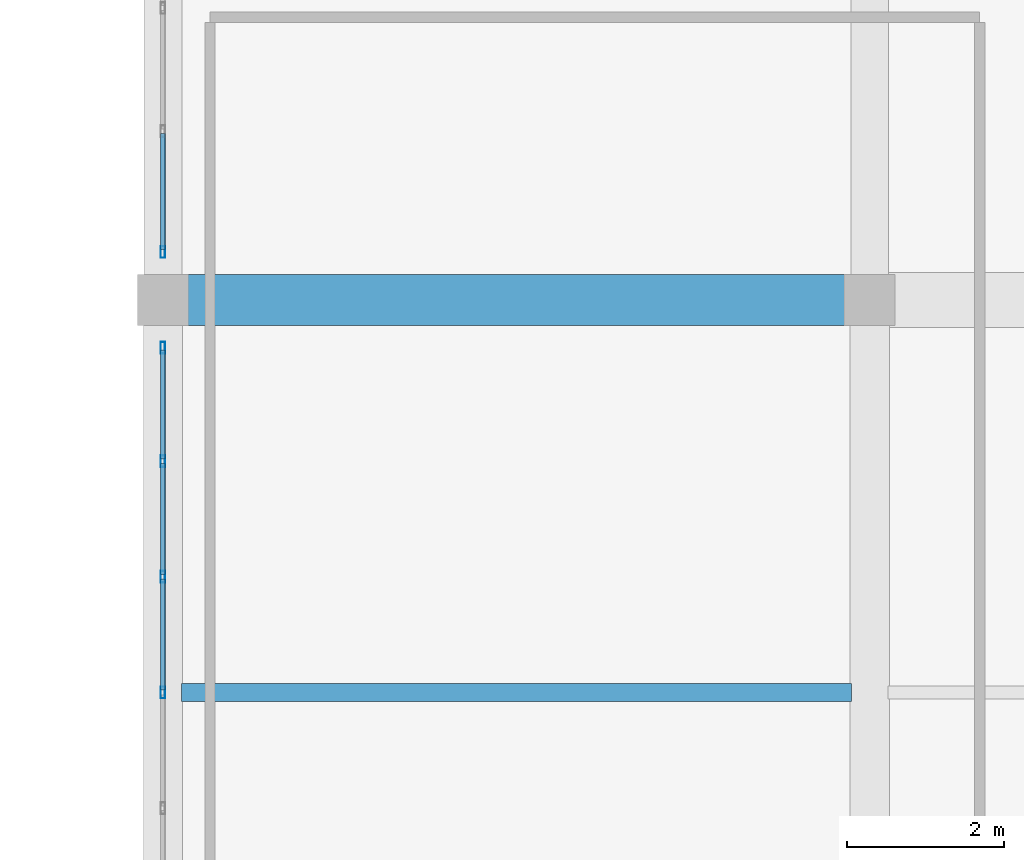
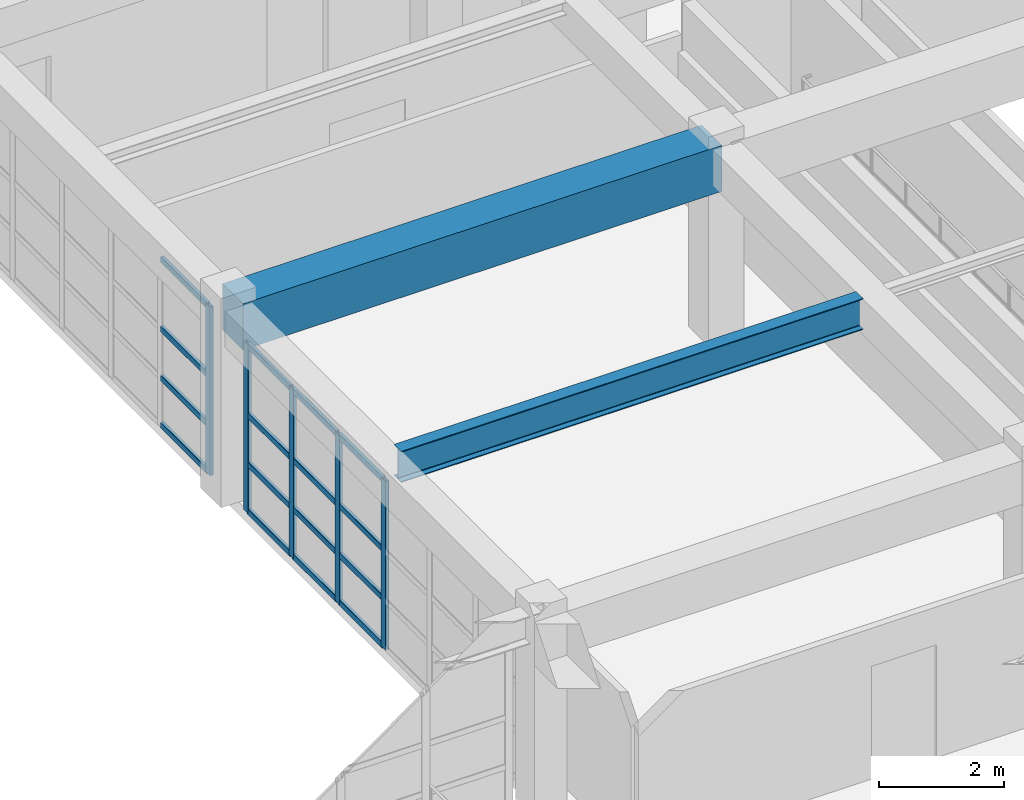
# One storey, part 59 of 110: 21 members, 2 beams, 2 elements without a shape of their own.
"""IFC4 building model written with IfcOpenShell, lengths in metres."""

from ifc_helpers import new_model, si_unit, direction, frame, origin, origin_2d, place, context, subcontext, project, spatial, rectangle, hollow_rectangle, i_section, extrude, material, material_profile, profile_set, type_object, element, aggregate, save


model = new_model("IFC4")

# Units and contexts
model_context = context("Model", 3, precision=1e-05, world=origin(), true_north=direction((0.0, 1.0)))
body_context = subcontext(model_context, "Body", "Model", "MODEL_VIEW")
ifc_project = project(units=[si_unit("LENGTHUNIT", "METRE"), si_unit("AREAUNIT", "SQUARE_METRE"), si_unit("VOLUMEUNIT", "CUBIC_METRE"), si_unit("PLANEANGLEUNIT", "RADIAN"), si_unit("MASSUNIT", "GRAM", prefix="KILO")], contexts=[model_context])

# Site, building, storey
site_placement = place(None, origin())
site = spatial("IfcSite", under=ifc_project, at=site_placement, CompositionType="ELEMENT")
building_placement = place(site_placement, origin())
building = spatial("IfcBuilding", under=site, at=building_placement, Name="Miravela Opera House", CompositionType="ELEMENT")
storey_placement = place(building_placement, frame((0.0, 0.0, 13.60009765625)))
storey = spatial("IfcBuildingStorey", under=building, at=storey_placement, Name="L03", CompositionType="ELEMENT", Elevation=13.60009765625)

# Curtain wall, members
ifc_material_1 = material(Name="Anodised architectural bronze aluminium 6063-T6", Category="aluminium")
curtain_wall_type = type_object("IfcCurtainWallType", Name="ARC-CW-05", PredefinedType="NOTDEFINED", material=ifc_material_1)
curtain_wall_1_placement = place(storey_placement, origin())
curtain_wall_1 = element("IfcCurtainWall", 1, at=curtain_wall_1_placement, inside=storey, type_object=curtain_wall_type, Name="Courtyard Arcade Curtain Wall CW-L03-111", PredefinedType="NOTDEFINED")
ifc_material_profile_1 = material_profile(ifc_material_1, hollow_rectangle(XDim=0.06005859375, YDim=0.14990234375, WallThickness=0.00390625, InnerFilletRadius=0.001953125, OuterFilletRadius=0.00390625, at=origin_2d()), Name="CWM-60X150")
ifc_profile_set_1 = profile_set([ifc_material_profile_1])
member_type_1 = type_object("IfcMemberType", Name="ARC-CWM-150", PredefinedType="MULLION", material=ifc_profile_set_1)
member_1_placement = place(storey_placement, frame((63.0, 89.0, 0.0), z_axis=(0.0, 0.0, 1.0), x_axis=(-1.0, 0.0, 0.0)))
member_1 = element("IfcMember", 2, at=member_1_placement, type_object=member_type_1, Name="CW-05 mullion 4", PredefinedType="MULLION", context=body_context, shape_type="SweptSolid", body=[
    extrude(hollow_rectangle(XDim=0.06005859375, YDim=0.14990234375, WallThickness=0.00390625, InnerFilletRadius=0.001953125, OuterFilletRadius=0.00390625, at=origin_2d()), origin(), (0.0, 0.0, 1.0), 3.289794921875),
])
member_2_placement = place(storey_placement, frame((63.0, 90.473388671875, 0.0), z_axis=(0.0, 0.0, 1.0), x_axis=(-1.0, 0.0, 0.0)))
member_2 = element("IfcMember", 3, at=member_2_placement, type_object=member_type_1, Name="CW-05 mullion 5", PredefinedType="MULLION", context=body_context, shape_type="SweptSolid", body=[
    extrude(hollow_rectangle(XDim=0.06005859375, YDim=0.14990234375, WallThickness=0.00390625, InnerFilletRadius=0.001953125, OuterFilletRadius=0.00390625, at=origin_2d()), origin(), (0.0, 0.0, 1.0), 3.289794921875),
])
member_3_placement = place(storey_placement, frame((63.0, 91.94677734375, 0.0), z_axis=(0.0, 0.0, 1.0), x_axis=(-1.0, 0.0, 0.0)))
member_3 = element("IfcMember", 4, at=member_3_placement, type_object=member_type_1, Name="CW-05 mullion 6", PredefinedType="MULLION", context=body_context, shape_type="SweptSolid", body=[
    extrude(hollow_rectangle(XDim=0.06005859375, YDim=0.14990234375, WallThickness=0.00390625, InnerFilletRadius=0.001953125, OuterFilletRadius=0.00390625, at=origin_2d()), origin(), (0.0, 0.0, 1.0), 3.289794921875),
])
member_4_placement = place(storey_placement, frame((63.0, 93.389892578125, 0.0), z_axis=(0.0, 0.0, 1.0), x_axis=(-1.0, 0.0, 0.0)))
member_4 = element("IfcMember", 5, at=member_4_placement, type_object=member_type_1, Name="CW-05 mullion 7", PredefinedType="MULLION", context=body_context, shape_type="SweptSolid", body=[
    extrude(hollow_rectangle(XDim=0.06005859375, YDim=0.14990234375, WallThickness=0.00390625, InnerFilletRadius=0.001953125, OuterFilletRadius=0.00390625, at=origin_2d()), origin(), (0.0, 0.0, 1.0), 3.289794921875),
])

# Curtain wall, member
curtain_wall_2_placement = place(storey_placement, origin())
curtain_wall_2 = element("IfcCurtainWall", 6, at=curtain_wall_2_placement, inside=storey, type_object=curtain_wall_type, Name="Courtyard Arcade Curtain Wall CW-L03-112", PredefinedType="NOTDEFINED")
member_5_placement = place(storey_placement, frame((63.0, 94.610107421875, 0.0), z_axis=(0.0, 0.0, 1.0), x_axis=(-1.0, 0.0, 0.0)))
member_5 = element("IfcMember", 7, at=member_5_placement, type_object=member_type_1, Name="CW-05 mullion 1", PredefinedType="MULLION", context=body_context, shape_type="SweptSolid", body=[
    extrude(hollow_rectangle(XDim=0.06005859375, YDim=0.14990234375, WallThickness=0.00390625, InnerFilletRadius=0.001953125, OuterFilletRadius=0.00390625, at=origin_2d()), origin(), (0.0, 0.0, 1.0), 3.289794921875),
])

# Member
ifc_material_profile_2 = material_profile(ifc_material_1, hollow_rectangle(XDim=0.06005859375, YDim=0.114990234375, WallThickness=0.00390625, InnerFilletRadius=0.001953125, OuterFilletRadius=0.00390625, at=origin_2d()), Name="CWT-60X115")
ifc_profile_set_2 = profile_set([ifc_material_profile_2])
member_type_2 = type_object("IfcMemberType", Name="ARC-CWT-115", PredefinedType="USERDEFINED", material=ifc_profile_set_2)
member_6_placement = place(storey_placement, frame((63.0, 89.030029296875, 0.02978515625), z_axis=(0.0, 1.0, 0.0), x_axis=(-1.0, 0.0, 0.0)))
member_6 = element("IfcMember", 8, at=member_6_placement, type_object=member_type_2, Name="CW-05 transom 4.1", ObjectType="TRANSOM", PredefinedType="USERDEFINED", context=body_context, shape_type="SweptSolid", body=[
    extrude(hollow_rectangle(XDim=0.06005859375, YDim=0.114990234375, WallThickness=0.00390625, InnerFilletRadius=0.001953125, OuterFilletRadius=0.00390625, at=origin_2d()), origin(), (0.0, 0.0, 1.0), 1.413330078125),
])

member_7_placement = place(storey_placement, frame((63.0, 89.030029296875, 0.949951171875), z_axis=(0.0, 1.0, 0.0), x_axis=(-1.0, 0.0, 0.0)))
member_7 = element("IfcMember", 9, at=member_7_placement, type_object=member_type_2, Name="CW-05 transom 4.2", ObjectType="TRANSOM", PredefinedType="USERDEFINED", context=body_context, shape_type="SweptSolid", body=[
    extrude(hollow_rectangle(XDim=0.06005859375, YDim=0.114990234375, WallThickness=0.00390625, InnerFilletRadius=0.001953125, OuterFilletRadius=0.00390625, at=origin_2d()), origin(), (0.0, 0.0, 1.0), 1.413330078125),
])

member_8_placement = place(storey_placement, frame((63.0, 89.030029296875, 1.908203125), z_axis=(0.0, 1.0, 0.0), x_axis=(-1.0, 0.0, 0.0)))
member_8 = element("IfcMember", 10, at=member_8_placement, type_object=member_type_2, Name="CW-05 transom 4.3", ObjectType="TRANSOM", PredefinedType="USERDEFINED", context=body_context, shape_type="SweptSolid", body=[
    extrude(hollow_rectangle(XDim=0.06005859375, YDim=0.114990234375, WallThickness=0.00390625, InnerFilletRadius=0.001953125, OuterFilletRadius=0.00390625, at=origin_2d()), origin(), (0.0, 0.0, 1.0), 1.413330078125),
])

member_9_placement = place(storey_placement, frame((63.0, 89.030029296875, 3.260009765625), z_axis=(0.0, 1.0, 0.0), x_axis=(-1.0, 0.0, 0.0)))
member_9 = element("IfcMember", 11, at=member_9_placement, type_object=member_type_2, Name="CW-05 transom 4.4", ObjectType="TRANSOM", PredefinedType="USERDEFINED", context=body_context, shape_type="SweptSolid", body=[
    extrude(hollow_rectangle(XDim=0.06005859375, YDim=0.114990234375, WallThickness=0.00390625, InnerFilletRadius=0.001953125, OuterFilletRadius=0.00390625, at=origin_2d()), origin(), (0.0, 0.0, 1.0), 1.413330078125),
])

member_10_placement = place(storey_placement, frame((63.0, 90.50341796875, 0.02978515625), z_axis=(0.0, 1.0, 0.0), x_axis=(-1.0, 0.0, 0.0)))
member_10 = element("IfcMember", 12, at=member_10_placement, type_object=member_type_2, Name="CW-05 transom 5.1", ObjectType="TRANSOM", PredefinedType="USERDEFINED", context=body_context, shape_type="SweptSolid", body=[
    extrude(hollow_rectangle(XDim=0.06005859375, YDim=0.114990234375, WallThickness=0.00390625, InnerFilletRadius=0.001953125, OuterFilletRadius=0.00390625, at=origin_2d()), origin(), (0.0, 0.0, 1.0), 1.413330078125),
])

member_11_placement = place(storey_placement, frame((63.0, 90.50341796875, 0.949951171875), z_axis=(0.0, 1.0, 0.0), x_axis=(-1.0, 0.0, 0.0)))
member_11 = element("IfcMember", 13, at=member_11_placement, type_object=member_type_2, Name="CW-05 transom 5.2", ObjectType="TRANSOM", PredefinedType="USERDEFINED", context=body_context, shape_type="SweptSolid", body=[
    extrude(hollow_rectangle(XDim=0.06005859375, YDim=0.114990234375, WallThickness=0.00390625, InnerFilletRadius=0.001953125, OuterFilletRadius=0.00390625, at=origin_2d()), origin(), (0.0, 0.0, 1.0), 1.413330078125),
])

member_12_placement = place(storey_placement, frame((63.0, 90.50341796875, 1.908203125), z_axis=(0.0, 1.0, 0.0), x_axis=(-1.0, 0.0, 0.0)))
member_12 = element("IfcMember", 14, at=member_12_placement, type_object=member_type_2, Name="CW-05 transom 5.3", ObjectType="TRANSOM", PredefinedType="USERDEFINED", context=body_context, shape_type="SweptSolid", body=[
    extrude(hollow_rectangle(XDim=0.06005859375, YDim=0.114990234375, WallThickness=0.00390625, InnerFilletRadius=0.001953125, OuterFilletRadius=0.00390625, at=origin_2d()), origin(), (0.0, 0.0, 1.0), 1.413330078125),
])

member_13_placement = place(storey_placement, frame((63.0, 90.50341796875, 3.260009765625), z_axis=(0.0, 1.0, 0.0), x_axis=(-1.0, 0.0, 0.0)))
member_13 = element("IfcMember", 15, at=member_13_placement, type_object=member_type_2, Name="CW-05 transom 5.4", ObjectType="TRANSOM", PredefinedType="USERDEFINED", context=body_context, shape_type="SweptSolid", body=[
    extrude(hollow_rectangle(XDim=0.06005859375, YDim=0.114990234375, WallThickness=0.00390625, InnerFilletRadius=0.001953125, OuterFilletRadius=0.00390625, at=origin_2d()), origin(), (0.0, 0.0, 1.0), 1.413330078125),
])

member_14_placement = place(storey_placement, frame((63.0, 91.9765625, 0.02978515625), z_axis=(0.0, 1.0, 0.0), x_axis=(-1.0, 0.0, 0.0)))
member_14 = element("IfcMember", 16, at=member_14_placement, type_object=member_type_2, Name="CW-05 transom 6.1", ObjectType="TRANSOM", PredefinedType="USERDEFINED", context=body_context, shape_type="SweptSolid", body=[
    extrude(hollow_rectangle(XDim=0.06005859375, YDim=0.114990234375, WallThickness=0.00390625, InnerFilletRadius=0.001953125, OuterFilletRadius=0.00390625, at=origin_2d()), origin(), (0.0, 0.0, 1.0), 1.383544921875),
])

member_15_placement = place(storey_placement, frame((63.0, 91.9765625, 0.949951171875), z_axis=(0.0, 1.0, 0.0), x_axis=(-1.0, 0.0, 0.0)))
member_15 = element("IfcMember", 17, at=member_15_placement, type_object=member_type_2, Name="CW-05 transom 6.2", ObjectType="TRANSOM", PredefinedType="USERDEFINED", context=body_context, shape_type="SweptSolid", body=[
    extrude(hollow_rectangle(XDim=0.06005859375, YDim=0.114990234375, WallThickness=0.00390625, InnerFilletRadius=0.001953125, OuterFilletRadius=0.00390625, at=origin_2d()), origin(), (0.0, 0.0, 1.0), 1.383544921875),
])

member_16_placement = place(storey_placement, frame((63.0, 91.9765625, 1.908203125), z_axis=(0.0, 1.0, 0.0), x_axis=(-1.0, 0.0, 0.0)))
member_16 = element("IfcMember", 18, at=member_16_placement, type_object=member_type_2, Name="CW-05 transom 6.3", ObjectType="TRANSOM", PredefinedType="USERDEFINED", context=body_context, shape_type="SweptSolid", body=[
    extrude(hollow_rectangle(XDim=0.06005859375, YDim=0.114990234375, WallThickness=0.00390625, InnerFilletRadius=0.001953125, OuterFilletRadius=0.00390625, at=origin_2d()), origin(), (0.0, 0.0, 1.0), 1.383544921875),
])

member_17_placement = place(storey_placement, frame((63.0, 91.9765625, 3.260009765625), z_axis=(0.0, 1.0, 0.0), x_axis=(-1.0, 0.0, 0.0)))
member_17 = element("IfcMember", 19, at=member_17_placement, type_object=member_type_2, Name="CW-05 transom 6.4", ObjectType="TRANSOM", PredefinedType="USERDEFINED", context=body_context, shape_type="SweptSolid", body=[
    extrude(hollow_rectangle(XDim=0.06005859375, YDim=0.114990234375, WallThickness=0.00390625, InnerFilletRadius=0.001953125, OuterFilletRadius=0.00390625, at=origin_2d()), origin(), (0.0, 0.0, 1.0), 1.383544921875),
])

aggregate(curtain_wall_1, [member_1, member_2, member_3, member_4, member_6, member_7, member_8, member_9, member_10, member_11, member_12, member_13, member_14, member_15, member_16, member_17])

member_18_placement = place(storey_placement, frame((63.0, 94.639892578125, 0.02978515625), z_axis=(0.0, 1.0, 0.0), x_axis=(-1.0, 0.0, 0.0)))
member_18 = element("IfcMember", 20, at=member_18_placement, type_object=member_type_2, Name="CW-05 transom 1.1", ObjectType="TRANSOM", PredefinedType="USERDEFINED", context=body_context, shape_type="SweptSolid", body=[
    extrude(hollow_rectangle(XDim=0.06005859375, YDim=0.114990234375, WallThickness=0.00390625, InnerFilletRadius=0.001953125, OuterFilletRadius=0.00390625, at=origin_2d()), origin(), (0.0, 0.0, 1.0), 1.47802734375),
])

member_19_placement = place(storey_placement, frame((63.0, 94.639892578125, 0.949951171875), z_axis=(0.0, 1.0, 0.0), x_axis=(-1.0, 0.0, 0.0)))
member_19 = element("IfcMember", 21, at=member_19_placement, type_object=member_type_2, Name="CW-05 transom 1.2", ObjectType="TRANSOM", PredefinedType="USERDEFINED", context=body_context, shape_type="SweptSolid", body=[
    extrude(hollow_rectangle(XDim=0.06005859375, YDim=0.114990234375, WallThickness=0.00390625, InnerFilletRadius=0.001953125, OuterFilletRadius=0.00390625, at=origin_2d()), origin(), (0.0, 0.0, 1.0), 1.47802734375),
])

member_20_placement = place(storey_placement, frame((63.0, 94.639892578125, 1.908203125), z_axis=(0.0, 1.0, 0.0), x_axis=(-1.0, 0.0, 0.0)))
member_20 = element("IfcMember", 22, at=member_20_placement, type_object=member_type_2, Name="CW-05 transom 1.3", ObjectType="TRANSOM", PredefinedType="USERDEFINED", context=body_context, shape_type="SweptSolid", body=[
    extrude(hollow_rectangle(XDim=0.06005859375, YDim=0.114990234375, WallThickness=0.00390625, InnerFilletRadius=0.001953125, OuterFilletRadius=0.00390625, at=origin_2d()), origin(), (0.0, 0.0, 1.0), 1.47802734375),
])

member_21_placement = place(storey_placement, frame((63.0, 94.639892578125, 3.260009765625), z_axis=(0.0, 1.0, 0.0), x_axis=(-1.0, 0.0, 0.0)))
member_21 = element("IfcMember", 23, at=member_21_placement, type_object=member_type_2, Name="CW-05 transom 1.4", ObjectType="TRANSOM", PredefinedType="USERDEFINED", context=body_context, shape_type="SweptSolid", body=[
    extrude(hollow_rectangle(XDim=0.06005859375, YDim=0.114990234375, WallThickness=0.00390625, InnerFilletRadius=0.001953125, OuterFilletRadius=0.00390625, at=origin_2d()), origin(), (0.0, 0.0, 1.0), 1.47802734375),
])

aggregate(curtain_wall_2, [member_5, member_18, member_19, member_20, member_21])

# Beams
ifc_material_2 = material(Name="Concrete C40/50", Category="concrete")
ifc_material_profile_3 = material_profile(ifc_material_2, rectangle(XDim=0.64990234375, YDim=0.89990234375, at=origin_2d()), Name="RC-BM-650X900")
ifc_profile_set_3 = profile_set([ifc_material_profile_3])
beam_type_1 = type_object("IfcBeamType", Name="STR-BM-RC650X900", PredefinedType="BEAM", material=ifc_profile_set_3)
beam_1_placement = place(storey_placement, frame((63.080078125, 94.0, 3.389892578125), z_axis=(1.0, 0.0, 0.0), x_axis=(0.0, 1.0, 0.0)))
element("IfcBeam", 24, at=beam_1_placement, inside=storey, type_object=beam_type_1, Name="Floor Girder L03 8-9/K", PredefinedType="BEAM", context=body_context, shape_type="SweptSolid", body=[
    extrude(rectangle(XDim=0.64990234375, YDim=0.89990234375, at=origin_2d()), origin(), (0.0, 0.0, 1.0), 8.83984375),
])
ifc_material_3 = material(Name="Structural steel ASTM A992 Gr. 50", Category="steel")
ifc_material_profile_4 = material_profile(ifc_material_3, i_section(OverallWidth=0.22802734375, OverallDepth=0.60791015625, WebThickness=0.01123046875, FlangeThickness=0.017333984375, FilletRadius=0.01611328125, at=origin_2d()), Name="W610X113")
ifc_profile_set_4 = profile_set([ifc_material_profile_4])
beam_type_2 = type_object("IfcBeamType", Name="STR-BM-W610X113", PredefinedType="BEAM", material=ifc_profile_set_4)
beam_2_placement = place(storey_placement, frame((63.235107421875, 89.0, 3.505859375), z_axis=(1.0, 0.0, 0.0), x_axis=(0.0, 1.0, 0.0)))
element("IfcBeam", 25, at=beam_2_placement, inside=storey, type_object=beam_type_2, Name="Secondary Floor Joist L03 8-9/J-K", PredefinedType="BEAM", context=body_context, shape_type="SweptSolid", body=[
    extrude(i_section(OverallWidth=0.22802734375, OverallDepth=0.60791015625, WebThickness=0.01123046875, FlangeThickness=0.017333984375, FilletRadius=0.01611328125, at=origin_2d()), origin(), (0.0, 0.0, 1.0), 8.52978515625),
])

save(model, "model.ifc")
